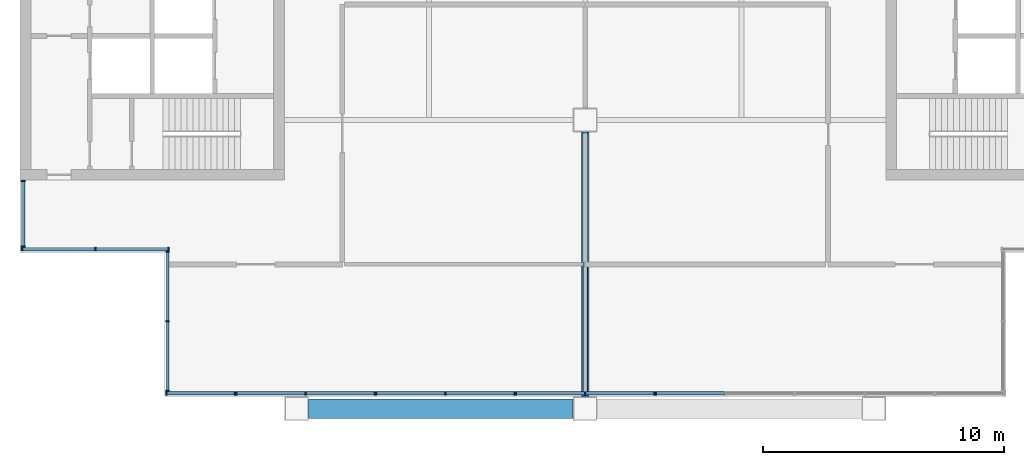
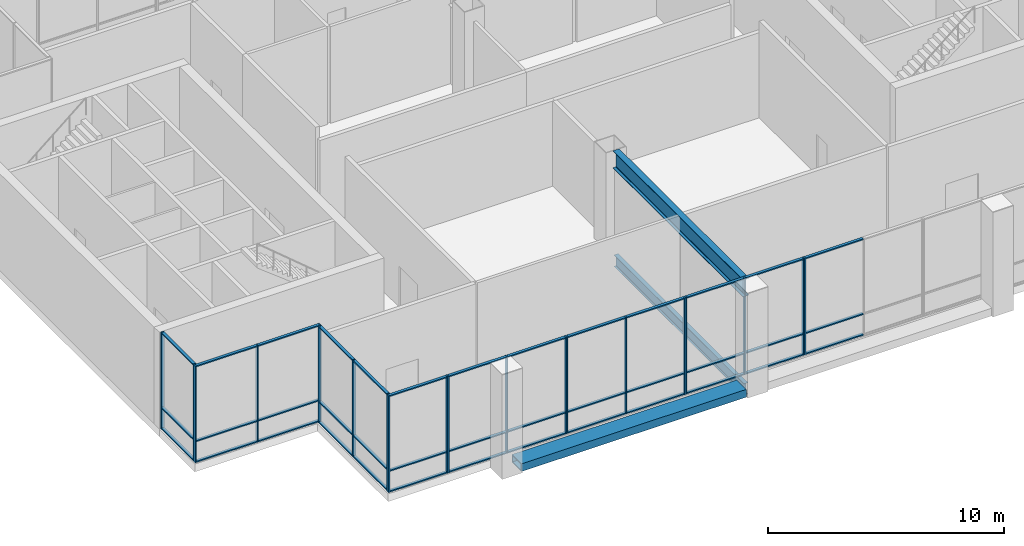
# One storey, part 2 of 15: 59 members, 3 beams, 8 elements without a shape of their own.
"""IFC4 building model written with IfcOpenShell, lengths in metres."""

from ifc_helpers import new_model, si_unit, direction, frame, origin, origin_2d, place, context, subcontext, project, spatial, rectangle, hollow_rectangle, i_section, extrude, material, material_profile, profile_set, type_object, element, aggregate, save


model = new_model("IFC4")

# Units and contexts
model_context = context("Model", 3, precision=1e-05, world=origin(), true_north=direction((0.0, 1.0)))
body_context = subcontext(model_context, "Body", "Model", "MODEL_VIEW")
ifc_project = project(units=[si_unit("LENGTHUNIT", "METRE"), si_unit("AREAUNIT", "SQUARE_METRE"), si_unit("VOLUMEUNIT", "CUBIC_METRE"), si_unit("PLANEANGLEUNIT", "RADIAN"), si_unit("MASSUNIT", "GRAM", prefix="KILO")], contexts=[model_context])

# Site, building, storey
site_placement = place(None, origin())
site = spatial("IfcSite", under=ifc_project, at=site_placement, CompositionType="ELEMENT")
building_placement = place(site_placement, origin())
building = spatial("IfcBuilding", under=site, at=building_placement, Name="Kitamizu Gate Tower and Museum", CompositionType="ELEMENT")
storey_placement = place(building_placement, frame((0.0, 0.0, 277.949951171875)))
storey = spatial("IfcBuildingStorey", under=building, at=storey_placement, Name="L75", CompositionType="ELEMENT", Elevation=277.949951171875)

# Beams
ifc_material_1 = material(Name="Steel SM490A bronze coated", Category="steel")
ifc_material_profile_1 = material_profile(ifc_material_1, hollow_rectangle(XDim=0.800048828125, YDim=0.39990234375, WallThickness=0.0400390625, at=origin_2d()), Name="BOX 800x400x40")
ifc_profile_set_1 = profile_set([ifc_material_profile_1], Name="Steel SM490A bronze coated")
beam_type_1 = type_object("IfcBeamType", Name="Exoskeleton spandrel beam SB1 BOX 800x400x40", PredefinedType="SPANDREL", material=ifc_profile_set_1)
beam_1_placement = place(storey_placement, frame((24.5, 12.0, -0.199951171875), z_axis=(1.0, 0.0, 0.0), x_axis=(0.0, 1.0, 0.0)))
element("IfcBeam", 1, at=beam_1_placement, inside=storey, type_object=beam_type_1, Name="Exoskeleton spandrel beam south 24 L75", PredefinedType="SPANDREL", context=body_context, shape_type="SweptSolid", body=[
    extrude(hollow_rectangle(XDim=0.800048828125, YDim=0.39990234375, WallThickness=0.0400390625, at=origin_2d()), origin(), (0.0, 0.0, 1.0), 11.0),
])
ifc_material_2 = material(Name="Steel SM490A", Category="steel")
ifc_material_profile_2 = material_profile(ifc_material_2, i_section(OverallWidth=0.199951171875, OverallDepth=0.60009765625, WebThickness=0.010986328125, FlangeThickness=0.01708984375, FilletRadius=0.02197265625, at=origin_2d()), Name="H-600x200x11x17")
ifc_profile_set_2 = profile_set([ifc_material_profile_2], Name="Steel SM490A")
beam_type_2 = type_object("IfcBeamType", Name="Floor girder FG1 H 600x200x11x17", PredefinedType="BEAM", material=ifc_profile_set_2)
beam_2_placement = place(storey_placement, frame((36.0, 12.5, -0.699951171875), z_axis=(0.0, 1.0, 0.0), x_axis=(-1.0, 0.0, 0.0)))
element("IfcBeam", 2, at=beam_2_placement, inside=storey, type_object=beam_type_2, Name="Floor girder FG1 x36 L75", PredefinedType="BEAM", context=body_context, shape_type="SweptSolid", body=[
    extrude(i_section(OverallWidth=0.199951171875, OverallDepth=0.60009765625, WebThickness=0.010986328125, FlangeThickness=0.01708984375, FilletRadius=0.02197265625, at=origin_2d()), origin(), (0.0, 0.0, 1.0), 11.0),
])

# Curtain wall, members
ifc_material_3 = material(Name="Bronze anodised aluminium frame, tinted triple glazing", Category="aluminium")
curtain_wall_type_1 = type_object("IfcCurtainWallType", Name="CURTAIN WALL TYPE C SKY AMENITY", PredefinedType="NOTDEFINED", material=ifc_material_3)
curtain_wall_1_placement = place(storey_placement, origin())
curtain_wall_1 = element("IfcCurtainWall", 3, at=curtain_wall_1_placement, inside=storey, type_object=curtain_wall_type_1, Name="Curtain wall CW-C south L75 part 1", PredefinedType="NOTDEFINED")
ifc_material_4 = material(Name="Bronze anodised aluminium", Category="aluminium")
ifc_material_profile_3 = material_profile(ifc_material_4, rectangle(XDim=0.06005859375, YDim=0.14990234375, at=origin_2d()), Name="AL 60X150")
ifc_profile_set_3 = profile_set([ifc_material_profile_3], Name="Bronze anodised aluminium")
member_type_1 = type_object("IfcMemberType", Name="MULLION 60 X 150 TYPE C", PredefinedType="MULLION", material=ifc_profile_set_3)
member_1_placement = place(storey_placement, frame((18.590087890625, 12.635009765625, 0.0), z_axis=(0.0, 0.0, 1.0), x_axis=(1.0, 0.0, 0.0)))
member_1 = element("IfcMember", 4, at=member_1_placement, type_object=member_type_1, Name="CW-C mullion 1", PredefinedType="MULLION", context=body_context, shape_type="SweptSolid", body=[
    extrude(rectangle(XDim=0.06005859375, YDim=0.14990234375, at=origin_2d()), origin(), (0.0, 0.0, 1.0), 5.0),
])
member_2_placement = place(storey_placement, frame((21.436767578125, 12.635009765625, 0.0), z_axis=(0.0, 0.0, 1.0), x_axis=(1.0, 0.0, 0.0)))
member_2 = element("IfcMember", 5, at=member_2_placement, type_object=member_type_1, Name="CW-C mullion 2", PredefinedType="MULLION", context=body_context, shape_type="SweptSolid", body=[
    extrude(rectangle(XDim=0.06005859375, YDim=0.14990234375, at=origin_2d()), origin(), (0.0, 0.0, 1.0), 5.0),
])

ifc_material_5 = material(Name="Bronze anodised aluminium frame, insulated panels", Category="aluminium")
curtain_wall_type_2 = type_object("IfcCurtainWallType", Name="CURTAIN WALL TYPE C SKY AMENITY INSULATED", PredefinedType="NOTDEFINED", material=ifc_material_5)
curtain_wall_2_placement = place(storey_placement, origin())
curtain_wall_2 = element("IfcCurtainWall", 6, at=curtain_wall_2_placement, inside=storey, type_object=curtain_wall_type_2, Name="Curtain wall CW-CI south L75 part 2", PredefinedType="NOTDEFINED")
member_3_placement = place(storey_placement, frame((21.49658203125, 12.635009765625, 0.0), z_axis=(0.0, 0.0, 1.0), x_axis=(1.0, 0.0, 0.0)))
member_3 = element("IfcMember", 7, at=member_3_placement, type_object=member_type_1, Name="CW-CI mullion 1", PredefinedType="MULLION", context=body_context, shape_type="SweptSolid", body=[
    extrude(rectangle(XDim=0.06005859375, YDim=0.14990234375, at=origin_2d()), origin(), (0.0, 0.0, 1.0), 5.0),
])
member_4_placement = place(storey_placement, frame((24.373291015625, 12.635009765625, 0.0), z_axis=(0.0, 0.0, 1.0), x_axis=(1.0, 0.0, 0.0)))
member_4 = element("IfcMember", 8, at=member_4_placement, type_object=member_type_1, Name="CW-CI mullion 2", PredefinedType="MULLION", context=body_context, shape_type="SweptSolid", body=[
    extrude(rectangle(XDim=0.06005859375, YDim=0.14990234375, at=origin_2d()), origin(), (0.0, 0.0, 1.0), 5.0),
])
member_5_placement = place(storey_placement, frame((27.25, 12.635009765625, 0.0), z_axis=(0.0, 0.0, 1.0), x_axis=(1.0, 0.0, 0.0)))
member_5 = element("IfcMember", 9, at=member_5_placement, type_object=member_type_1, Name="CW-CI mullion 3", PredefinedType="MULLION", context=body_context, shape_type="SweptSolid", body=[
    extrude(rectangle(XDim=0.06005859375, YDim=0.14990234375, at=origin_2d()), origin(), (0.0, 0.0, 1.0), 5.0),
])

curtain_wall_3_placement = place(storey_placement, origin())
curtain_wall_3 = element("IfcCurtainWall", 10, at=curtain_wall_3_placement, inside=storey, type_object=curtain_wall_type_1, Name="Curtain wall CW-C south L75 part 3", PredefinedType="NOTDEFINED")
member_6_placement = place(storey_placement, frame((27.31005859375, 12.635009765625, 0.0), z_axis=(0.0, 0.0, 1.0), x_axis=(1.0, 0.0, 0.0)))
member_6 = element("IfcMember", 11, at=member_6_placement, type_object=member_type_1, Name="CW-C mullion 1", PredefinedType="MULLION", context=body_context, shape_type="SweptSolid", body=[
    extrude(rectangle(XDim=0.06005859375, YDim=0.14990234375, at=origin_2d()), origin(), (0.0, 0.0, 1.0), 5.0),
])
member_7_placement = place(storey_placement, frame((30.186767578125, 12.635009765625, 0.0), z_axis=(0.0, 0.0, 1.0), x_axis=(1.0, 0.0, 0.0)))
member_7 = element("IfcMember", 12, at=member_7_placement, type_object=member_type_1, Name="CW-C mullion 2", PredefinedType="MULLION", context=body_context, shape_type="SweptSolid", body=[
    extrude(rectangle(XDim=0.06005859375, YDim=0.14990234375, at=origin_2d()), origin(), (0.0, 0.0, 1.0), 5.0),
])
member_8_placement = place(storey_placement, frame((33.063232421875, 12.635009765625, 0.0), z_axis=(0.0, 0.0, 1.0), x_axis=(1.0, 0.0, 0.0)))
member_8 = element("IfcMember", 13, at=member_8_placement, type_object=member_type_1, Name="CW-C mullion 3", PredefinedType="MULLION", context=body_context, shape_type="SweptSolid", body=[
    extrude(rectangle(XDim=0.06005859375, YDim=0.14990234375, at=origin_2d()), origin(), (0.0, 0.0, 1.0), 5.0),
])

curtain_wall_4_placement = place(storey_placement, origin())
curtain_wall_4 = element("IfcCurtainWall", 14, at=curtain_wall_4_placement, inside=storey, type_object=curtain_wall_type_2, Name="Curtain wall CW-CI south L75 part 4", PredefinedType="NOTDEFINED")
member_9_placement = place(storey_placement, frame((33.123291015625, 12.635009765625, 0.0), z_axis=(0.0, 0.0, 1.0), x_axis=(1.0, 0.0, 0.0)))
member_9 = element("IfcMember", 15, at=member_9_placement, type_object=member_type_1, Name="CW-CI mullion 1", PredefinedType="MULLION", context=body_context, shape_type="SweptSolid", body=[
    extrude(rectangle(XDim=0.06005859375, YDim=0.14990234375, at=origin_2d()), origin(), (0.0, 0.0, 1.0), 5.0),
])
member_10_placement = place(storey_placement, frame((36.0, 12.635009765625, 0.0), z_axis=(0.0, 0.0, 1.0), x_axis=(1.0, 0.0, 0.0)))
member_10 = element("IfcMember", 16, at=member_10_placement, type_object=member_type_1, Name="CW-CI mullion 2", PredefinedType="MULLION", context=body_context, shape_type="SweptSolid", body=[
    extrude(rectangle(XDim=0.06005859375, YDim=0.14990234375, at=origin_2d()), origin(), (0.0, 0.0, 1.0), 5.0),
])
member_11_placement = place(storey_placement, frame((38.876708984375, 12.635009765625, 0.0), z_axis=(0.0, 0.0, 1.0), x_axis=(1.0, 0.0, 0.0)))
member_11 = element("IfcMember", 17, at=member_11_placement, type_object=member_type_1, Name="CW-CI mullion 3", PredefinedType="MULLION", context=body_context, shape_type="SweptSolid", body=[
    extrude(rectangle(XDim=0.06005859375, YDim=0.14990234375, at=origin_2d()), origin(), (0.0, 0.0, 1.0), 5.0),
])

# Curtain wall, member
curtain_wall_5_placement = place(storey_placement, origin())
curtain_wall_5 = element("IfcCurtainWall", 18, at=curtain_wall_5_placement, inside=storey, type_object=curtain_wall_type_1, Name="Curtain wall CW-C south L75 part 5", PredefinedType="NOTDEFINED")
member_12_placement = place(storey_placement, frame((38.936767578125, 12.635009765625, 0.0), z_axis=(0.0, 0.0, 1.0), x_axis=(1.0, 0.0, 0.0)))
member_12 = element("IfcMember", 19, at=member_12_placement, type_object=member_type_1, Name="CW-C mullion 1", PredefinedType="MULLION", context=body_context, shape_type="SweptSolid", body=[
    extrude(rectangle(XDim=0.06005859375, YDim=0.14990234375, at=origin_2d()), origin(), (0.0, 0.0, 1.0), 5.0),
])

# Curtain wall, members
curtain_wall_6_placement = place(storey_placement, origin())
curtain_wall_6 = element("IfcCurtainWall", 20, at=curtain_wall_6_placement, inside=storey, type_object=curtain_wall_type_1, Name="Curtain wall CW-C west L75", PredefinedType="NOTDEFINED")
member_13_placement = place(storey_placement, frame((12.635009765625, 18.739990234375, 0.0), z_axis=(0.0, 0.0, 1.0), x_axis=(0.0, 1.0, 0.0)))
member_13 = element("IfcMember", 21, at=member_13_placement, type_object=member_type_1, Name="CW-C mullion 1", PredefinedType="MULLION", context=body_context, shape_type="SweptSolid", body=[
    extrude(rectangle(XDim=0.06005859375, YDim=0.14990234375, at=origin_2d()), origin(), (0.0, 0.0, 1.0), 5.0),
])
member_14_placement = place(storey_placement, frame((12.635009765625, 21.469970703125, 0.0), z_axis=(0.0, 0.0, 1.0), x_axis=(0.0, 1.0, 0.0)))
member_14 = element("IfcMember", 22, at=member_14_placement, type_object=member_type_1, Name="CW-C mullion 2", PredefinedType="MULLION", context=body_context, shape_type="SweptSolid", body=[
    extrude(rectangle(XDim=0.06005859375, YDim=0.14990234375, at=origin_2d()), origin(), (0.0, 0.0, 1.0), 5.0),
])

curtain_wall_7_placement = place(storey_placement, origin())
curtain_wall_7 = element("IfcCurtainWall", 23, at=curtain_wall_7_placement, inside=storey, type_object=curtain_wall_type_1, Name="Curtain wall CW-C south L75", PredefinedType="NOTDEFINED")
member_15_placement = place(storey_placement, frame((12.590087890625, 18.635009765625, 0.0), z_axis=(0.0, 0.0, 1.0), x_axis=(1.0, 0.0, 0.0)))
member_15 = element("IfcMember", 24, at=member_15_placement, type_object=member_type_1, Name="CW-C mullion 1", PredefinedType="MULLION", context=body_context, shape_type="SweptSolid", body=[
    extrude(rectangle(XDim=0.06005859375, YDim=0.14990234375, at=origin_2d()), origin(), (0.0, 0.0, 1.0), 5.0),
])
member_16_placement = place(storey_placement, frame((15.635009765625, 18.635009765625, 0.0), z_axis=(0.0, 0.0, 1.0), x_axis=(1.0, 0.0, 0.0)))
member_16 = element("IfcMember", 25, at=member_16_placement, type_object=member_type_1, Name="CW-C mullion 2", PredefinedType="MULLION", context=body_context, shape_type="SweptSolid", body=[
    extrude(rectangle(XDim=0.06005859375, YDim=0.14990234375, at=origin_2d()), origin(), (0.0, 0.0, 1.0), 5.0),
])
member_17_placement = place(storey_placement, frame((18.679931640625, 18.635009765625, 0.0), z_axis=(0.0, 0.0, 1.0), x_axis=(1.0, 0.0, 0.0)))
member_17 = element("IfcMember", 26, at=member_17_placement, type_object=member_type_1, Name="CW-C mullion 3", PredefinedType="MULLION", context=body_context, shape_type="SweptSolid", body=[
    extrude(rectangle(XDim=0.06005859375, YDim=0.14990234375, at=origin_2d()), origin(), (0.0, 0.0, 1.0), 5.0),
])

curtain_wall_8_placement = place(storey_placement, origin())
curtain_wall_8 = element("IfcCurtainWall", 27, at=curtain_wall_8_placement, inside=storey, type_object=curtain_wall_type_1, Name="Curtain wall CW-C west L75", PredefinedType="NOTDEFINED")
member_18_placement = place(storey_placement, frame((18.635009765625, 12.739990234375, 0.0), z_axis=(0.0, 0.0, 1.0), x_axis=(0.0, 1.0, 0.0)))
member_18 = element("IfcMember", 28, at=member_18_placement, type_object=member_type_1, Name="CW-C mullion 1", PredefinedType="MULLION", context=body_context, shape_type="SweptSolid", body=[
    extrude(rectangle(XDim=0.06005859375, YDim=0.14990234375, at=origin_2d()), origin(), (0.0, 0.0, 1.0), 5.0),
])
member_19_placement = place(storey_placement, frame((18.635009765625, 15.635009765625, 0.0), z_axis=(0.0, 0.0, 1.0), x_axis=(0.0, 1.0, 0.0)))
member_19 = element("IfcMember", 29, at=member_19_placement, type_object=member_type_1, Name="CW-C mullion 2", PredefinedType="MULLION", context=body_context, shape_type="SweptSolid", body=[
    extrude(rectangle(XDim=0.06005859375, YDim=0.14990234375, at=origin_2d()), origin(), (0.0, 0.0, 1.0), 5.0),
])
member_20_placement = place(storey_placement, frame((18.635009765625, 18.530029296875, 0.0), z_axis=(0.0, 0.0, 1.0), x_axis=(0.0, 1.0, 0.0)))
member_20 = element("IfcMember", 30, at=member_20_placement, type_object=member_type_1, Name="CW-C mullion 3", PredefinedType="MULLION", context=body_context, shape_type="SweptSolid", body=[
    extrude(rectangle(XDim=0.06005859375, YDim=0.14990234375, at=origin_2d()), origin(), (0.0, 0.0, 1.0), 5.0),
])

# Member
ifc_material_6 = material(Name="Bronze anodised aluminium", Category="aluminium")
ifc_material_profile_4 = material_profile(ifc_material_6, rectangle(XDim=0.139892578125, YDim=0.06005859375, at=origin_2d()), Name="AL 60X140")
ifc_profile_set_4 = profile_set([ifc_material_profile_4], Name="Bronze anodised aluminium")
member_type_2 = type_object("IfcMemberType", Name="TRANSOM 60 X 140 TYPE C", PredefinedType="USERDEFINED", material=ifc_profile_set_4)
member_21_placement = place(storey_placement, frame((18.6201171875, 12.635009765625, 0.030029296875), z_axis=(1.0, 0.0, 0.0), x_axis=(0.0, 1.0, 0.0)))
member_21 = element("IfcMember", 31, at=member_21_placement, type_object=member_type_2, Name="CW-C transom 1.1", ObjectType="TRANSOM", PredefinedType="USERDEFINED", context=body_context, shape_type="SweptSolid", body=[
    extrude(rectangle(XDim=0.139892578125, YDim=0.06005859375, at=origin_2d()), origin(), (0.0, 0.0, 1.0), 2.78662109375),
])

member_22_placement = place(storey_placement, frame((18.6201171875, 12.635009765625, 1.10009765625), z_axis=(1.0, 0.0, 0.0), x_axis=(0.0, 1.0, 0.0)))
member_22 = element("IfcMember", 32, at=member_22_placement, type_object=member_type_2, Name="CW-C transom 1.2", ObjectType="TRANSOM", PredefinedType="USERDEFINED", context=body_context, shape_type="SweptSolid", body=[
    extrude(rectangle(XDim=0.139892578125, YDim=0.06005859375, at=origin_2d()), origin(), (0.0, 0.0, 1.0), 2.78662109375),
])

member_23_placement = place(storey_placement, frame((18.6201171875, 12.635009765625, 4.969970703125), z_axis=(1.0, 0.0, 0.0), x_axis=(0.0, 1.0, 0.0)))
member_23 = element("IfcMember", 33, at=member_23_placement, type_object=member_type_2, Name="CW-C transom 1.3", ObjectType="TRANSOM", PredefinedType="USERDEFINED", context=body_context, shape_type="SweptSolid", body=[
    extrude(rectangle(XDim=0.139892578125, YDim=0.06005859375, at=origin_2d()), origin(), (0.0, 0.0, 1.0), 2.78662109375),
])

aggregate(curtain_wall_1, [member_1, member_2, member_21, member_22, member_23])

member_24_placement = place(storey_placement, frame((21.526611328125, 12.635009765625, 0.030029296875), z_axis=(1.0, 0.0, 0.0), x_axis=(0.0, 1.0, 0.0)))
member_24 = element("IfcMember", 34, at=member_24_placement, type_object=member_type_2, Name="CW-CI transom 1.1", ObjectType="TRANSOM", PredefinedType="USERDEFINED", context=body_context, shape_type="SweptSolid", body=[
    extrude(rectangle(XDim=0.139892578125, YDim=0.06005859375, at=origin_2d()), origin(), (0.0, 0.0, 1.0), 2.816650390625),
])

member_25_placement = place(storey_placement, frame((21.526611328125, 12.635009765625, 1.10009765625), z_axis=(1.0, 0.0, 0.0), x_axis=(0.0, 1.0, 0.0)))
member_25 = element("IfcMember", 35, at=member_25_placement, type_object=member_type_2, Name="CW-CI transom 1.2", ObjectType="TRANSOM", PredefinedType="USERDEFINED", context=body_context, shape_type="SweptSolid", body=[
    extrude(rectangle(XDim=0.139892578125, YDim=0.06005859375, at=origin_2d()), origin(), (0.0, 0.0, 1.0), 2.816650390625),
])

member_26_placement = place(storey_placement, frame((21.526611328125, 12.635009765625, 4.969970703125), z_axis=(1.0, 0.0, 0.0), x_axis=(0.0, 1.0, 0.0)))
member_26 = element("IfcMember", 36, at=member_26_placement, type_object=member_type_2, Name="CW-CI transom 1.3", ObjectType="TRANSOM", PredefinedType="USERDEFINED", context=body_context, shape_type="SweptSolid", body=[
    extrude(rectangle(XDim=0.139892578125, YDim=0.06005859375, at=origin_2d()), origin(), (0.0, 0.0, 1.0), 2.816650390625),
])

member_27_placement = place(storey_placement, frame((24.4033203125, 12.635009765625, 0.030029296875), z_axis=(1.0, 0.0, 0.0), x_axis=(0.0, 1.0, 0.0)))
member_27 = element("IfcMember", 37, at=member_27_placement, type_object=member_type_2, Name="CW-CI transom 2.1", ObjectType="TRANSOM", PredefinedType="USERDEFINED", context=body_context, shape_type="SweptSolid", body=[
    extrude(rectangle(XDim=0.139892578125, YDim=0.06005859375, at=origin_2d()), origin(), (0.0, 0.0, 1.0), 2.816650390625),
])

member_28_placement = place(storey_placement, frame((24.4033203125, 12.635009765625, 1.10009765625), z_axis=(1.0, 0.0, 0.0), x_axis=(0.0, 1.0, 0.0)))
member_28 = element("IfcMember", 38, at=member_28_placement, type_object=member_type_2, Name="CW-CI transom 2.2", ObjectType="TRANSOM", PredefinedType="USERDEFINED", context=body_context, shape_type="SweptSolid", body=[
    extrude(rectangle(XDim=0.139892578125, YDim=0.06005859375, at=origin_2d()), origin(), (0.0, 0.0, 1.0), 2.816650390625),
])

member_29_placement = place(storey_placement, frame((24.4033203125, 12.635009765625, 4.969970703125), z_axis=(1.0, 0.0, 0.0), x_axis=(0.0, 1.0, 0.0)))
member_29 = element("IfcMember", 39, at=member_29_placement, type_object=member_type_2, Name="CW-CI transom 2.3", ObjectType="TRANSOM", PredefinedType="USERDEFINED", context=body_context, shape_type="SweptSolid", body=[
    extrude(rectangle(XDim=0.139892578125, YDim=0.06005859375, at=origin_2d()), origin(), (0.0, 0.0, 1.0), 2.816650390625),
])

aggregate(curtain_wall_2, [member_3, member_4, member_5, member_24, member_25, member_26, member_27, member_28, member_29])

member_30_placement = place(storey_placement, frame((27.340087890625, 12.635009765625, 0.030029296875), z_axis=(1.0, 0.0, 0.0), x_axis=(0.0, 1.0, 0.0)))
member_30 = element("IfcMember", 40, at=member_30_placement, type_object=member_type_2, Name="CW-C transom 1.1", ObjectType="TRANSOM", PredefinedType="USERDEFINED", context=body_context, shape_type="SweptSolid", body=[
    extrude(rectangle(XDim=0.139892578125, YDim=0.06005859375, at=origin_2d()), origin(), (0.0, 0.0, 1.0), 2.816650390625),
])

member_31_placement = place(storey_placement, frame((27.340087890625, 12.635009765625, 1.10009765625), z_axis=(1.0, 0.0, 0.0), x_axis=(0.0, 1.0, 0.0)))
member_31 = element("IfcMember", 41, at=member_31_placement, type_object=member_type_2, Name="CW-C transom 1.2", ObjectType="TRANSOM", PredefinedType="USERDEFINED", context=body_context, shape_type="SweptSolid", body=[
    extrude(rectangle(XDim=0.139892578125, YDim=0.06005859375, at=origin_2d()), origin(), (0.0, 0.0, 1.0), 2.816650390625),
])

member_32_placement = place(storey_placement, frame((27.340087890625, 12.635009765625, 4.969970703125), z_axis=(1.0, 0.0, 0.0), x_axis=(0.0, 1.0, 0.0)))
member_32 = element("IfcMember", 42, at=member_32_placement, type_object=member_type_2, Name="CW-C transom 1.3", ObjectType="TRANSOM", PredefinedType="USERDEFINED", context=body_context, shape_type="SweptSolid", body=[
    extrude(rectangle(XDim=0.139892578125, YDim=0.06005859375, at=origin_2d()), origin(), (0.0, 0.0, 1.0), 2.816650390625),
])

member_33_placement = place(storey_placement, frame((30.216552734375, 12.635009765625, 0.030029296875), z_axis=(1.0, 0.0, 0.0), x_axis=(0.0, 1.0, 0.0)))
member_33 = element("IfcMember", 43, at=member_33_placement, type_object=member_type_2, Name="CW-C transom 2.1", ObjectType="TRANSOM", PredefinedType="USERDEFINED", context=body_context, shape_type="SweptSolid", body=[
    extrude(rectangle(XDim=0.139892578125, YDim=0.06005859375, at=origin_2d()), origin(), (0.0, 0.0, 1.0), 2.81689453125),
])

member_34_placement = place(storey_placement, frame((30.216552734375, 12.635009765625, 1.10009765625), z_axis=(1.0, 0.0, 0.0), x_axis=(0.0, 1.0, 0.0)))
member_34 = element("IfcMember", 44, at=member_34_placement, type_object=member_type_2, Name="CW-C transom 2.2", ObjectType="TRANSOM", PredefinedType="USERDEFINED", context=body_context, shape_type="SweptSolid", body=[
    extrude(rectangle(XDim=0.139892578125, YDim=0.06005859375, at=origin_2d()), origin(), (0.0, 0.0, 1.0), 2.81689453125),
])

member_35_placement = place(storey_placement, frame((30.216552734375, 12.635009765625, 4.969970703125), z_axis=(1.0, 0.0, 0.0), x_axis=(0.0, 1.0, 0.0)))
member_35 = element("IfcMember", 45, at=member_35_placement, type_object=member_type_2, Name="CW-C transom 2.3", ObjectType="TRANSOM", PredefinedType="USERDEFINED", context=body_context, shape_type="SweptSolid", body=[
    extrude(rectangle(XDim=0.139892578125, YDim=0.06005859375, at=origin_2d()), origin(), (0.0, 0.0, 1.0), 2.81689453125),
])

aggregate(curtain_wall_3, [member_6, member_7, member_8, member_30, member_31, member_32, member_33, member_34, member_35])

member_36_placement = place(storey_placement, frame((33.1533203125, 12.635009765625, 0.030029296875), z_axis=(1.0, 0.0, 0.0), x_axis=(0.0, 1.0, 0.0)))
member_36 = element("IfcMember", 46, at=member_36_placement, type_object=member_type_2, Name="CW-CI transom 1.1", ObjectType="TRANSOM", PredefinedType="USERDEFINED", context=body_context, shape_type="SweptSolid", body=[
    extrude(rectangle(XDim=0.139892578125, YDim=0.06005859375, at=origin_2d()), origin(), (0.0, 0.0, 1.0), 2.816650390625),
])

member_37_placement = place(storey_placement, frame((33.1533203125, 12.635009765625, 1.10009765625), z_axis=(1.0, 0.0, 0.0), x_axis=(0.0, 1.0, 0.0)))
member_37 = element("IfcMember", 47, at=member_37_placement, type_object=member_type_2, Name="CW-CI transom 1.2", ObjectType="TRANSOM", PredefinedType="USERDEFINED", context=body_context, shape_type="SweptSolid", body=[
    extrude(rectangle(XDim=0.139892578125, YDim=0.06005859375, at=origin_2d()), origin(), (0.0, 0.0, 1.0), 2.816650390625),
])

member_38_placement = place(storey_placement, frame((33.1533203125, 12.635009765625, 4.969970703125), z_axis=(1.0, 0.0, 0.0), x_axis=(0.0, 1.0, 0.0)))
member_38 = element("IfcMember", 48, at=member_38_placement, type_object=member_type_2, Name="CW-CI transom 1.3", ObjectType="TRANSOM", PredefinedType="USERDEFINED", context=body_context, shape_type="SweptSolid", body=[
    extrude(rectangle(XDim=0.139892578125, YDim=0.06005859375, at=origin_2d()), origin(), (0.0, 0.0, 1.0), 2.816650390625),
])

member_39_placement = place(storey_placement, frame((36.030029296875, 12.635009765625, 0.030029296875), z_axis=(1.0, 0.0, 0.0), x_axis=(0.0, 1.0, 0.0)))
member_39 = element("IfcMember", 49, at=member_39_placement, type_object=member_type_2, Name="CW-CI transom 2.1", ObjectType="TRANSOM", PredefinedType="USERDEFINED", context=body_context, shape_type="SweptSolid", body=[
    extrude(rectangle(XDim=0.139892578125, YDim=0.06005859375, at=origin_2d()), origin(), (0.0, 0.0, 1.0), 2.816650390625),
])

member_40_placement = place(storey_placement, frame((36.030029296875, 12.635009765625, 1.10009765625), z_axis=(1.0, 0.0, 0.0), x_axis=(0.0, 1.0, 0.0)))
member_40 = element("IfcMember", 50, at=member_40_placement, type_object=member_type_2, Name="CW-CI transom 2.2", ObjectType="TRANSOM", PredefinedType="USERDEFINED", context=body_context, shape_type="SweptSolid", body=[
    extrude(rectangle(XDim=0.139892578125, YDim=0.06005859375, at=origin_2d()), origin(), (0.0, 0.0, 1.0), 2.816650390625),
])

member_41_placement = place(storey_placement, frame((36.030029296875, 12.635009765625, 4.969970703125), z_axis=(1.0, 0.0, 0.0), x_axis=(0.0, 1.0, 0.0)))
member_41 = element("IfcMember", 51, at=member_41_placement, type_object=member_type_2, Name="CW-CI transom 2.3", ObjectType="TRANSOM", PredefinedType="USERDEFINED", context=body_context, shape_type="SweptSolid", body=[
    extrude(rectangle(XDim=0.139892578125, YDim=0.06005859375, at=origin_2d()), origin(), (0.0, 0.0, 1.0), 2.816650390625),
])

aggregate(curtain_wall_4, [member_9, member_10, member_11, member_36, member_37, member_38, member_39, member_40, member_41])

member_42_placement = place(storey_placement, frame((38.966552734375, 12.635009765625, 0.030029296875), z_axis=(1.0, 0.0, 0.0), x_axis=(0.0, 1.0, 0.0)))
member_42 = element("IfcMember", 52, at=member_42_placement, type_object=member_type_2, Name="CW-C transom 1.1", ObjectType="TRANSOM", PredefinedType="USERDEFINED", context=body_context, shape_type="SweptSolid", body=[
    extrude(rectangle(XDim=0.139892578125, YDim=0.06005859375, at=origin_2d()), origin(), (0.0, 0.0, 1.0), 2.81689453125),
])

member_43_placement = place(storey_placement, frame((38.966552734375, 12.635009765625, 1.10009765625), z_axis=(1.0, 0.0, 0.0), x_axis=(0.0, 1.0, 0.0)))
member_43 = element("IfcMember", 53, at=member_43_placement, type_object=member_type_2, Name="CW-C transom 1.2", ObjectType="TRANSOM", PredefinedType="USERDEFINED", context=body_context, shape_type="SweptSolid", body=[
    extrude(rectangle(XDim=0.139892578125, YDim=0.06005859375, at=origin_2d()), origin(), (0.0, 0.0, 1.0), 2.81689453125),
])

member_44_placement = place(storey_placement, frame((38.966552734375, 12.635009765625, 4.969970703125), z_axis=(1.0, 0.0, 0.0), x_axis=(0.0, 1.0, 0.0)))
member_44 = element("IfcMember", 54, at=member_44_placement, type_object=member_type_2, Name="CW-C transom 1.3", ObjectType="TRANSOM", PredefinedType="USERDEFINED", context=body_context, shape_type="SweptSolid", body=[
    extrude(rectangle(XDim=0.139892578125, YDim=0.06005859375, at=origin_2d()), origin(), (0.0, 0.0, 1.0), 2.81689453125),
])

aggregate(curtain_wall_5, [member_12, member_42, member_43, member_44])

member_45_placement = place(storey_placement, frame((12.635009765625, 18.77001953125, 0.030029296875), z_axis=(0.0, 1.0, 0.0), x_axis=(-1.0, 0.0, 0.0)))
member_45 = element("IfcMember", 55, at=member_45_placement, type_object=member_type_2, Name="CW-C transom 1.1", ObjectType="TRANSOM", PredefinedType="USERDEFINED", context=body_context, shape_type="SweptSolid", body=[
    extrude(rectangle(XDim=0.139892578125, YDim=0.06005859375, at=origin_2d()), origin(), (0.0, 0.0, 1.0), 2.669921875),
])

member_46_placement = place(storey_placement, frame((12.635009765625, 18.77001953125, 1.10009765625), z_axis=(0.0, 1.0, 0.0), x_axis=(-1.0, 0.0, 0.0)))
member_46 = element("IfcMember", 56, at=member_46_placement, type_object=member_type_2, Name="CW-C transom 1.2", ObjectType="TRANSOM", PredefinedType="USERDEFINED", context=body_context, shape_type="SweptSolid", body=[
    extrude(rectangle(XDim=0.139892578125, YDim=0.06005859375, at=origin_2d()), origin(), (0.0, 0.0, 1.0), 2.669921875),
])

member_47_placement = place(storey_placement, frame((12.635009765625, 18.77001953125, 4.969970703125), z_axis=(0.0, 1.0, 0.0), x_axis=(-1.0, 0.0, 0.0)))
member_47 = element("IfcMember", 57, at=member_47_placement, type_object=member_type_2, Name="CW-C transom 1.3", ObjectType="TRANSOM", PredefinedType="USERDEFINED", context=body_context, shape_type="SweptSolid", body=[
    extrude(rectangle(XDim=0.139892578125, YDim=0.06005859375, at=origin_2d()), origin(), (0.0, 0.0, 1.0), 2.669921875),
])

aggregate(curtain_wall_6, [member_13, member_14, member_45, member_46, member_47])

member_48_placement = place(storey_placement, frame((12.6201171875, 18.635009765625, 0.030029296875), z_axis=(1.0, 0.0, 0.0), x_axis=(0.0, 1.0, 0.0)))
member_48 = element("IfcMember", 58, at=member_48_placement, type_object=member_type_2, Name="CW-C transom 1.1", ObjectType="TRANSOM", PredefinedType="USERDEFINED", context=body_context, shape_type="SweptSolid", body=[
    extrude(rectangle(XDim=0.139892578125, YDim=0.06005859375, at=origin_2d()), origin(), (0.0, 0.0, 1.0), 2.98486328125),
])

member_49_placement = place(storey_placement, frame((12.6201171875, 18.635009765625, 1.10009765625), z_axis=(1.0, 0.0, 0.0), x_axis=(0.0, 1.0, 0.0)))
member_49 = element("IfcMember", 59, at=member_49_placement, type_object=member_type_2, Name="CW-C transom 1.2", ObjectType="TRANSOM", PredefinedType="USERDEFINED", context=body_context, shape_type="SweptSolid", body=[
    extrude(rectangle(XDim=0.139892578125, YDim=0.06005859375, at=origin_2d()), origin(), (0.0, 0.0, 1.0), 2.98486328125),
])

member_50_placement = place(storey_placement, frame((12.6201171875, 18.635009765625, 4.969970703125), z_axis=(1.0, 0.0, 0.0), x_axis=(0.0, 1.0, 0.0)))
member_50 = element("IfcMember", 60, at=member_50_placement, type_object=member_type_2, Name="CW-C transom 1.3", ObjectType="TRANSOM", PredefinedType="USERDEFINED", context=body_context, shape_type="SweptSolid", body=[
    extrude(rectangle(XDim=0.139892578125, YDim=0.06005859375, at=origin_2d()), origin(), (0.0, 0.0, 1.0), 2.98486328125),
])

member_51_placement = place(storey_placement, frame((15.6650390625, 18.635009765625, 0.030029296875), z_axis=(1.0, 0.0, 0.0), x_axis=(0.0, 1.0, 0.0)))
member_51 = element("IfcMember", 61, at=member_51_placement, type_object=member_type_2, Name="CW-C transom 2.1", ObjectType="TRANSOM", PredefinedType="USERDEFINED", context=body_context, shape_type="SweptSolid", body=[
    extrude(rectangle(XDim=0.139892578125, YDim=0.06005859375, at=origin_2d()), origin(), (0.0, 0.0, 1.0), 2.98486328125),
])

member_52_placement = place(storey_placement, frame((15.6650390625, 18.635009765625, 1.10009765625), z_axis=(1.0, 0.0, 0.0), x_axis=(0.0, 1.0, 0.0)))
member_52 = element("IfcMember", 62, at=member_52_placement, type_object=member_type_2, Name="CW-C transom 2.2", ObjectType="TRANSOM", PredefinedType="USERDEFINED", context=body_context, shape_type="SweptSolid", body=[
    extrude(rectangle(XDim=0.139892578125, YDim=0.06005859375, at=origin_2d()), origin(), (0.0, 0.0, 1.0), 2.98486328125),
])

member_53_placement = place(storey_placement, frame((15.6650390625, 18.635009765625, 4.969970703125), z_axis=(1.0, 0.0, 0.0), x_axis=(0.0, 1.0, 0.0)))
member_53 = element("IfcMember", 63, at=member_53_placement, type_object=member_type_2, Name="CW-C transom 2.3", ObjectType="TRANSOM", PredefinedType="USERDEFINED", context=body_context, shape_type="SweptSolid", body=[
    extrude(rectangle(XDim=0.139892578125, YDim=0.06005859375, at=origin_2d()), origin(), (0.0, 0.0, 1.0), 2.98486328125),
])

aggregate(curtain_wall_7, [member_15, member_16, member_17, member_48, member_49, member_50, member_51, member_52, member_53])

member_54_placement = place(storey_placement, frame((18.635009765625, 12.77001953125, 0.030029296875), z_axis=(0.0, 1.0, 0.0), x_axis=(-1.0, 0.0, 0.0)))
member_54 = element("IfcMember", 64, at=member_54_placement, type_object=member_type_2, Name="CW-C transom 1.1", ObjectType="TRANSOM", PredefinedType="USERDEFINED", context=body_context, shape_type="SweptSolid", body=[
    extrude(rectangle(XDim=0.139892578125, YDim=0.06005859375, at=origin_2d()), origin(), (0.0, 0.0, 1.0), 2.8349609375),
])

member_55_placement = place(storey_placement, frame((18.635009765625, 12.77001953125, 1.10009765625), z_axis=(0.0, 1.0, 0.0), x_axis=(-1.0, 0.0, 0.0)))
member_55 = element("IfcMember", 65, at=member_55_placement, type_object=member_type_2, Name="CW-C transom 1.2", ObjectType="TRANSOM", PredefinedType="USERDEFINED", context=body_context, shape_type="SweptSolid", body=[
    extrude(rectangle(XDim=0.139892578125, YDim=0.06005859375, at=origin_2d()), origin(), (0.0, 0.0, 1.0), 2.8349609375),
])

member_56_placement = place(storey_placement, frame((18.635009765625, 12.77001953125, 4.969970703125), z_axis=(0.0, 1.0, 0.0), x_axis=(-1.0, 0.0, 0.0)))
member_56 = element("IfcMember", 66, at=member_56_placement, type_object=member_type_2, Name="CW-C transom 1.3", ObjectType="TRANSOM", PredefinedType="USERDEFINED", context=body_context, shape_type="SweptSolid", body=[
    extrude(rectangle(XDim=0.139892578125, YDim=0.06005859375, at=origin_2d()), origin(), (0.0, 0.0, 1.0), 2.8349609375),
])

member_57_placement = place(storey_placement, frame((18.635009765625, 15.6650390625, 0.030029296875), z_axis=(0.0, 1.0, 0.0), x_axis=(-1.0, 0.0, 0.0)))
member_57 = element("IfcMember", 67, at=member_57_placement, type_object=member_type_2, Name="CW-C transom 2.1", ObjectType="TRANSOM", PredefinedType="USERDEFINED", context=body_context, shape_type="SweptSolid", body=[
    extrude(rectangle(XDim=0.139892578125, YDim=0.06005859375, at=origin_2d()), origin(), (0.0, 0.0, 1.0), 2.8349609375),
])

member_58_placement = place(storey_placement, frame((18.635009765625, 15.6650390625, 1.10009765625), z_axis=(0.0, 1.0, 0.0), x_axis=(-1.0, 0.0, 0.0)))
member_58 = element("IfcMember", 68, at=member_58_placement, type_object=member_type_2, Name="CW-C transom 2.2", ObjectType="TRANSOM", PredefinedType="USERDEFINED", context=body_context, shape_type="SweptSolid", body=[
    extrude(rectangle(XDim=0.139892578125, YDim=0.06005859375, at=origin_2d()), origin(), (0.0, 0.0, 1.0), 2.8349609375),
])

member_59_placement = place(storey_placement, frame((18.635009765625, 15.6650390625, 4.969970703125), z_axis=(0.0, 1.0, 0.0), x_axis=(-1.0, 0.0, 0.0)))
member_59 = element("IfcMember", 69, at=member_59_placement, type_object=member_type_2, Name="CW-C transom 2.3", ObjectType="TRANSOM", PredefinedType="USERDEFINED", context=body_context, shape_type="SweptSolid", body=[
    extrude(rectangle(XDim=0.139892578125, YDim=0.06005859375, at=origin_2d()), origin(), (0.0, 0.0, 1.0), 2.8349609375),
])

aggregate(curtain_wall_8, [member_18, member_19, member_20, member_54, member_55, member_56, member_57, member_58, member_59])

# Beam
ifc_material_7 = material(Name="Steel SM490A", Category="steel")
ifc_material_profile_5 = material_profile(ifc_material_7, i_section(OverallWidth=0.300048828125, OverallDepth=0.89990234375, WebThickness=0.01611328125, FlangeThickness=0.028076171875, FilletRadius=0.028076171875, at=origin_2d()), Name="H-900x300x16x28")
ifc_profile_set_5 = profile_set([ifc_material_profile_5], Name="Steel SM490A")
beam_type_3 = type_object("IfcBeamType", Name="Terrace girder TG1 H 900x300x16x28", PredefinedType="BEAM", material=ifc_profile_set_5)
beam_3_placement = place(storey_placement, frame((36.0, 12.5, 4.550048828125), z_axis=(0.0, 1.0, 0.0), x_axis=(-1.0, 0.0, 0.0)))
element("IfcBeam", 70, at=beam_3_placement, inside=storey, type_object=beam_type_3, Name="Terrace girder S", PredefinedType="BEAM", context=body_context, shape_type="SweptSolid", body=[
    extrude(i_section(OverallWidth=0.300048828125, OverallDepth=0.89990234375, WebThickness=0.01611328125, FlangeThickness=0.028076171875, FilletRadius=0.028076171875, at=origin_2d()), origin(), (0.0, 0.0, 1.0), 11.0),
])

save(model, "model.ifc")
